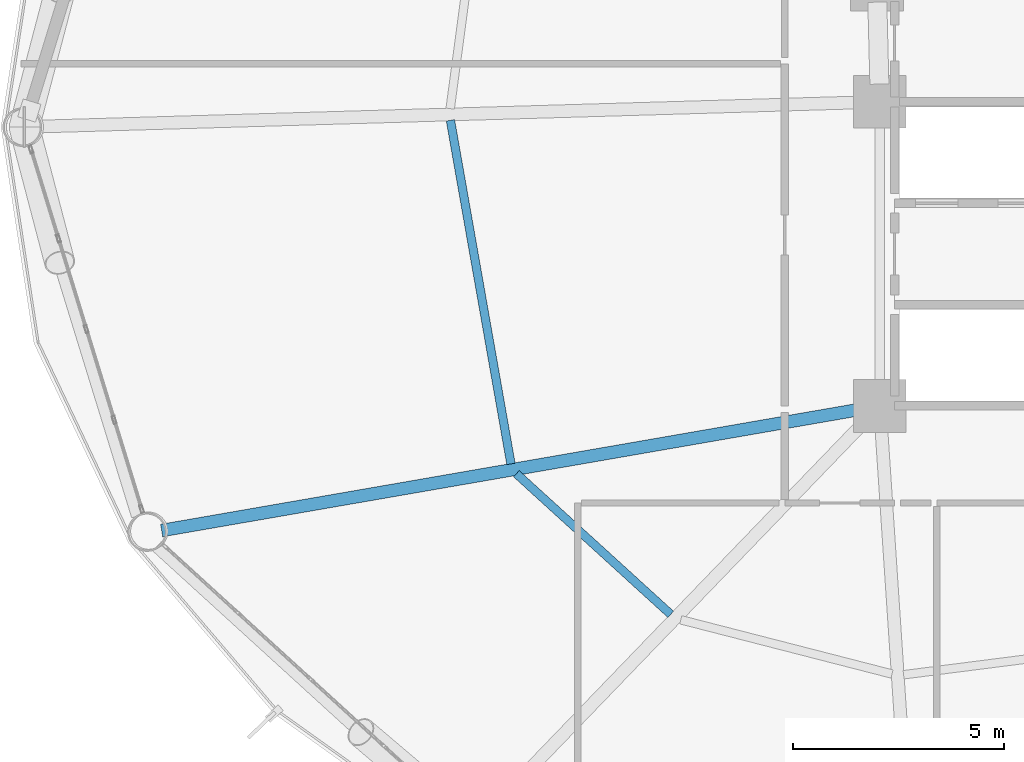
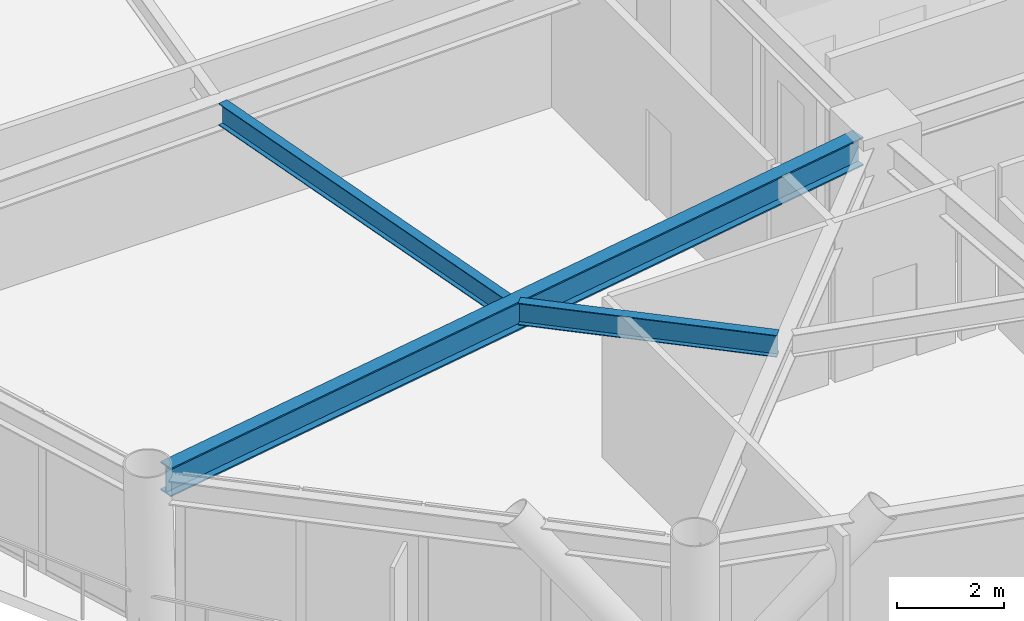
# One storey, part 6 of 26: 3 beams.
"""IFC4 building model written with IfcOpenShell, lengths in metres."""

from ifc_helpers import new_model, si_unit, direction, frame, origin, origin_2d, place, context, subcontext, project, spatial, i_section, extrude, material, material_profile, profile_set, type_object, element, save


model = new_model("IFC4")

# Units and contexts
model_context = context("Model", 3, precision=1e-05, world=origin(), true_north=direction((0.0, 1.0)))
body_context = subcontext(model_context, "Body", "Model", "MODEL_VIEW")
ifc_project = project(units=[si_unit("LENGTHUNIT", "METRE"), si_unit("AREAUNIT", "SQUARE_METRE"), si_unit("VOLUMEUNIT", "CUBIC_METRE"), si_unit("PLANEANGLEUNIT", "RADIAN"), si_unit("MASSUNIT", "GRAM", prefix="KILO")], contexts=[model_context])

# Site, building, storey
site_placement = place(None, origin())
site = spatial("IfcSite", under=ifc_project, at=site_placement, CompositionType="ELEMENT")
building_placement = place(site_placement, origin())
building = spatial("IfcBuilding", under=site, at=building_placement, Name="Varnakorn Sky Granary", CompositionType="ELEMENT")
storey_placement = place(building_placement, frame((0.0, 0.0, 51.0)))
storey = spatial("IfcBuildingStorey", under=building, at=storey_placement, Name="L12", CompositionType="ELEMENT", Elevation=51.0)

# Beams
ifc_material = material(Name="Steel S355JR", Category="steel")
ifc_material_profile_1 = material_profile(ifc_material, i_section(OverallWidth=0.300048828125, OverallDepth=0.64990234375, WebThickness=0.01611328125, FlangeThickness=0.031005859375, at=origin_2d()), Name="HE 650 B")
ifc_profile_set_1 = profile_set([ifc_material_profile_1], Name="Steel S355JR")
beam_type_1 = type_object("IfcBeamType", Name="BM-RAD-Z1", PredefinedType="BEAM", material=ifc_profile_set_1)
beam_1_placement = place(storey_placement, frame((-2.763916015625, -6.671875, 3.31494140625), z_axis=(-0.985279996765, -0.170948319601, 0.0), x_axis=(0.170948319601, -0.985279996765, 0.0)))
element("IfcBeam", 1, at=beam_1_placement, inside=storey, type_object=beam_type_1, Name="Radial Floor Girder RG08 L12", PredefinedType="BEAM", context=body_context, shape_type="SweptSolid", body=[
    extrude(i_section(OverallWidth=0.300048828125, OverallDepth=0.64990234375, WebThickness=0.01611328125, FlangeThickness=0.031005859375, at=origin_2d()), origin(), (0.0, 0.0, 1.0), 16.837890625),
])
ifc_material_profile_2 = material_profile(ifc_material, i_section(OverallWidth=0.199951171875, OverallDepth=0.5, WebThickness=0.01025390625, FlangeThickness=0.01611328125, at=origin_2d()), Name="IPE 500")
ifc_profile_set_2 = profile_set([ifc_material_profile_2], Name="Steel S355JR")
beam_type_2 = type_object("IfcBeamType", Name="BM-SEC-Z1", PredefinedType="BEAM", material=ifc_profile_set_2)
beam_2_placement = place(storey_placement, frame((-12.5166015625, 0.16259765625, 3.389892578125), z_axis=(0.173507149542, -0.984832609664, 0.0), x_axis=(0.984832609664, 0.173507149542, 0.0)))
element("IfcBeam", 2, at=beam_2_placement, inside=storey, type_object=beam_type_2, Name="Secondary Floor Chord Beam MSB07 L12", PredefinedType="BEAM", context=body_context, shape_type="SweptSolid", body=[
    extrude(i_section(OverallWidth=0.199951171875, OverallDepth=0.5, WebThickness=0.01025390625, FlangeThickness=0.01611328125, at=origin_2d()), origin(), (0.0, 0.0, 1.0), 8.260986328125),
])
beam_3_placement = place(storey_placement, frame((-10.955322265625, -8.205322265625, 3.389892578125), z_axis=(0.739302868259, -0.673373053354, 0.0), x_axis=(0.673373053354, 0.739302868259, 0.0)))
element("IfcBeam", 3, at=beam_3_placement, inside=storey, type_object=beam_type_2, Name="Secondary Floor Chord Beam MSB08 L12", PredefinedType="BEAM", context=body_context, shape_type="SweptSolid", body=[
    extrude(i_section(OverallWidth=0.199951171875, OverallDepth=0.5, WebThickness=0.01025390625, FlangeThickness=0.01611328125, at=origin_2d()), origin(), (0.0, 0.0, 1.0), 4.943603515625),
])

save(model, "model.ifc")
